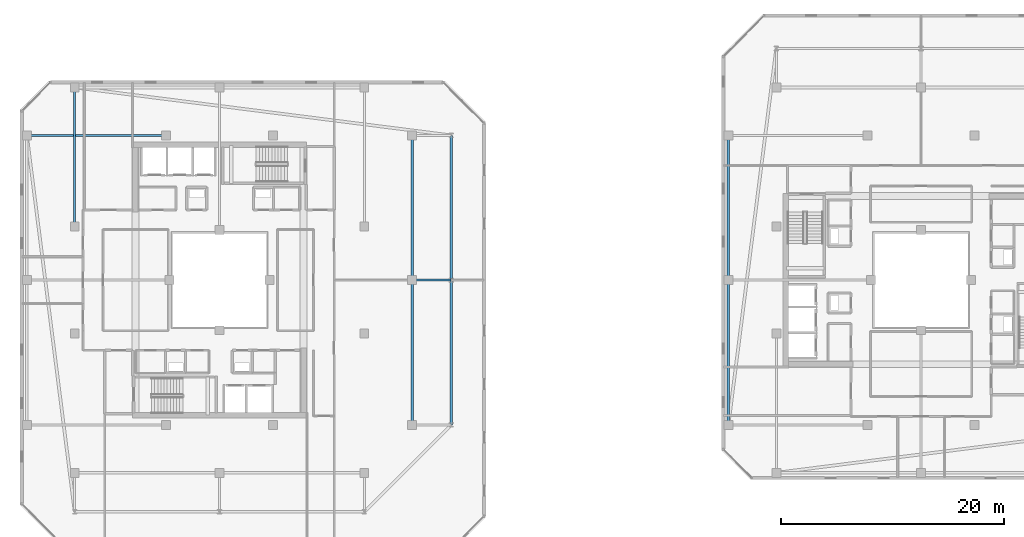
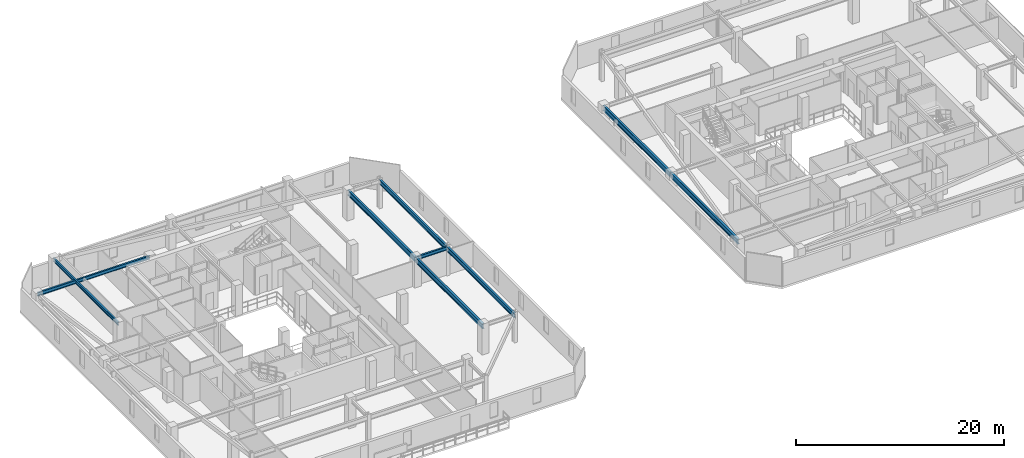
# One storey, part 9 of 34: 9 beams.
"""IFC4 building model written with IfcOpenShell, lengths in metres."""

from ifc_helpers import new_model, si_unit, direction, frame, origin, origin_2d, place, context, subcontext, project, spatial, i_section, extrude, material, material_profile, profile_set, type_object, element, save


model = new_model("IFC4")

# Units and contexts
model_context = context("Model", 3, precision=1e-05, world=origin(), true_north=direction((0.0, 1.0)))
body_context = subcontext(model_context, "Body", "Model", "MODEL_VIEW")
ifc_project = project(units=[si_unit("LENGTHUNIT", "METRE"), si_unit("AREAUNIT", "SQUARE_METRE"), si_unit("VOLUMEUNIT", "CUBIC_METRE"), si_unit("PLANEANGLEUNIT", "RADIAN"), si_unit("MASSUNIT", "GRAM", prefix="KILO")], contexts=[model_context])

# Site, building, storey
site_placement = place(None, origin())
site = spatial("IfcSite", under=ifc_project, at=site_placement, CompositionType="ELEMENT")
building_placement = place(site_placement, origin())
building = spatial("IfcBuilding", under=site, at=building_placement, Name="Thornwick Lancets Civic Towers", CompositionType="ELEMENT")
storey_placement = place(building_placement, frame((0.0, 0.0, 261.89990234375)))
storey = spatial("IfcBuildingStorey", under=building, at=storey_placement, Name="L70", CompositionType="ELEMENT", Elevation=261.89990234375)

# Beams
ifc_material = material(Name="Steel S355JR", Category="steel")
ifc_material_profile_1 = material_profile(ifc_material, i_section(OverallWidth=0.210693359375, OverallDepth=0.53955078125, WebThickness=0.01171875, FlangeThickness=0.018798828125, FilletRadius=0.0126953125, at=origin_2d()), Name="UKB 533x210x109")
ifc_profile_set_1 = profile_set([ifc_material_profile_1], Name="Steel S355JR")
beam_type_1 = type_object("IfcBeamType", Name="BM_EDGE_533_109", PredefinedType="SPANDREL", material=ifc_profile_set_1)
beam_1_placement = place(storey_placement, frame((46.300048828125, 14.0, 3.09033203125), z_axis=(0.0, 1.0, 0.0), x_axis=(-1.0, 0.0, 0.0)))
element("IfcBeam", 1, at=beam_1_placement, inside=storey, type_object=beam_type_1, Name="BM-EDGE-L70-A-S1-1", PredefinedType="SPANDREL", context=body_context, shape_type="SweptSolid", body=[
    extrude(i_section(OverallWidth=0.210693359375, OverallDepth=0.53955078125, WebThickness=0.01171875, FlangeThickness=0.018798828125, FilletRadius=0.0126953125, at=origin_2d()), origin(), (0.0, 0.0, 1.0), 13.0),
])
beam_2_placement = place(storey_placement, frame((46.300048828125, 27.080078125, 3.09033203125), z_axis=(0.0, 1.0, 0.0), x_axis=(-1.0, 0.0, 0.0)))
element("IfcBeam", 2, at=beam_2_placement, inside=storey, type_object=beam_type_1, Name="BM-EDGE-L70-A-S1-2", PredefinedType="SPANDREL", context=body_context, shape_type="SweptSolid", body=[
    extrude(i_section(OverallWidth=0.210693359375, OverallDepth=0.53955078125, WebThickness=0.01171875, FlangeThickness=0.018798828125, FilletRadius=0.0126953125, at=origin_2d()), origin(), (0.0, 0.0, 1.0), 12.919921875),
])
ifc_material_profile_2 = material_profile(ifc_material, i_section(OverallWidth=0.230224609375, OverallDepth=0.6171875, WebThickness=0.01318359375, FlangeThickness=0.022216796875, FilletRadius=0.0126953125, at=origin_2d()), Name="UKB 610x229x140")
ifc_profile_set_2 = profile_set([ifc_material_profile_2], Name="Steel S355JR")
beam_type_2 = type_object("IfcBeamType", Name="BM_GIRD_610_140", PredefinedType="BEAM", material=ifc_profile_set_2)
beam_3_placement = place(storey_placement, frame((42.800048828125, 14.0, 3.051513671875), z_axis=(0.0, 1.0, 0.0), x_axis=(-1.0, 0.0, 0.0)))
element("IfcBeam", 3, at=beam_3_placement, inside=storey, type_object=beam_type_2, Name="BM-SPINE-L70-A-3-4", PredefinedType="BEAM", context=body_context, shape_type="SweptSolid", body=[
    extrude(i_section(OverallWidth=0.230224609375, OverallDepth=0.6171875, WebThickness=0.01318359375, FlangeThickness=0.022216796875, FilletRadius=0.0126953125, at=origin_2d()), origin(), (0.0, 0.0, 1.0), 13.0),
])
beam_4_placement = place(storey_placement, frame((42.800048828125, 27.080078125, 3.051513671875), z_axis=(0.0, 1.0, 0.0), x_axis=(-1.0, 0.0, 0.0)))
element("IfcBeam", 4, at=beam_4_placement, inside=storey, type_object=beam_type_2, Name="BM-SPINE-L70-A-4-5", PredefinedType="BEAM", context=body_context, shape_type="SweptSolid", body=[
    extrude(i_section(OverallWidth=0.230224609375, OverallDepth=0.6171875, WebThickness=0.01318359375, FlangeThickness=0.022216796875, FilletRadius=0.0126953125, at=origin_2d()), origin(), (0.0, 0.0, 1.0), 12.919921875),
])
beam_5_placement = place(storey_placement, frame((71.199951171875, 14.0, 3.051513671875), z_axis=(0.0, 1.0, 0.0), x_axis=(-1.0, 0.0, 0.0)))
element("IfcBeam", 5, at=beam_5_placement, inside=storey, type_object=beam_type_2, Name="BM-SPINE-L70-B-6-7", PredefinedType="BEAM", context=body_context, shape_type="SweptSolid", body=[
    extrude(i_section(OverallWidth=0.230224609375, OverallDepth=0.6171875, WebThickness=0.01318359375, FlangeThickness=0.022216796875, FilletRadius=0.0126953125, at=origin_2d()), origin(), (0.0, 0.0, 1.0), 13.0),
])
beam_6_placement = place(storey_placement, frame((71.199951171875, 27.080078125, 3.051513671875), z_axis=(0.0, 1.0, 0.0), x_axis=(-1.0, 0.0, 0.0)))
element("IfcBeam", 6, at=beam_6_placement, inside=storey, type_object=beam_type_2, Name="BM-SPINE-L70-B-7-8", PredefinedType="BEAM", context=body_context, shape_type="SweptSolid", body=[
    extrude(i_section(OverallWidth=0.230224609375, OverallDepth=0.6171875, WebThickness=0.01318359375, FlangeThickness=0.022216796875, FilletRadius=0.0126953125, at=origin_2d()), origin(), (0.0, 0.0, 1.0), 12.919921875),
])
ifc_material_profile_3 = material_profile(ifc_material, i_section(OverallWidth=0.179443359375, OverallDepth=0.412841796875, WebThickness=0.009521484375, FlangeThickness=0.01611328125, FilletRadius=0.01025390625, at=origin_2d()), Name="UKB 406x178x74")
ifc_profile_set_3 = profile_set([ifc_material_profile_3], Name="Steel S355JR")
beam_type_3 = type_object("IfcBeamType", Name="BM_JOIST_406_74", PredefinedType="JOIST", material=ifc_profile_set_3)
beam_7_placement = place(storey_placement, frame((42.800048828125, 27.0, 3.15380859375), z_axis=(1.0, 0.0, 0.0), x_axis=(0.0, 1.0, 0.0)))
element("IfcBeam", 7, at=beam_7_placement, inside=storey, type_object=beam_type_3, Name="BM-RAD-L70-A05", PredefinedType="JOIST", context=body_context, shape_type="SweptSolid", body=[
    extrude(i_section(OverallWidth=0.179443359375, OverallDepth=0.412841796875, WebThickness=0.009521484375, FlangeThickness=0.01611328125, FilletRadius=0.01025390625, at=origin_2d()), origin(), (0.0, 0.0, 1.0), 3.5),
])
for number, where, z_axis, x_axis, name in (
    (8, (12.5, 31.800048828125, 3.15380859375), (0.0, 1.0, 0.0), (-1.0, 0.0, 0.0), "BM-RADIN-L70-A07"),
    (9, (20.699951171875, 40.0, 3.15380859375), (-1.0, 0.0, 0.0), (0.0, -1.0, 0.0), "BM-RADIN-L70-A12"),
):
    element("IfcBeam", number, at=place(storey_placement, frame(where, z_axis=z_axis, x_axis=x_axis)), inside=storey, type_object=beam_type_3, Name=name, PredefinedType="JOIST", context=body_context, shape_type="SweptSolid", body=[
        extrude(i_section(OverallWidth=0.179443359375, OverallDepth=0.412841796875, WebThickness=0.009521484375, FlangeThickness=0.01611328125, FilletRadius=0.01025390625, at=origin_2d()), origin(), (0.0, 0.0, 1.0), 12.5),
    ])

save(model, "model.ifc")
